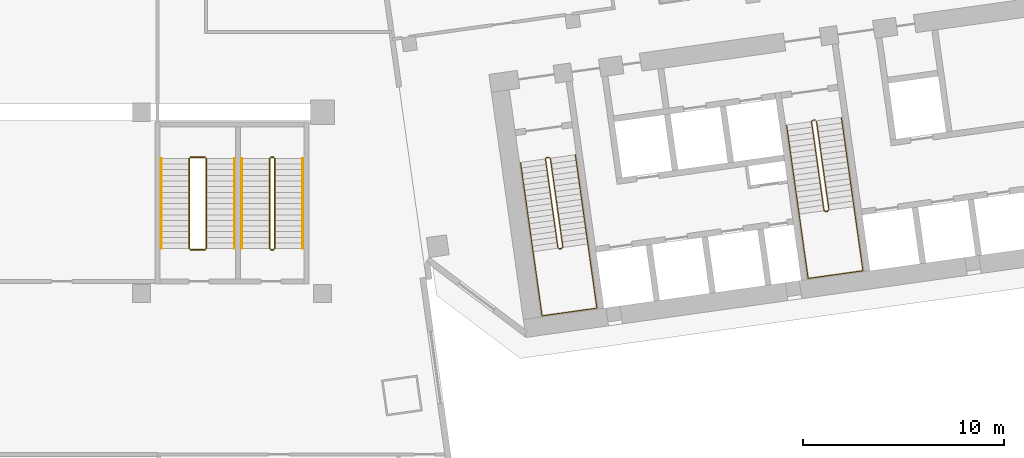
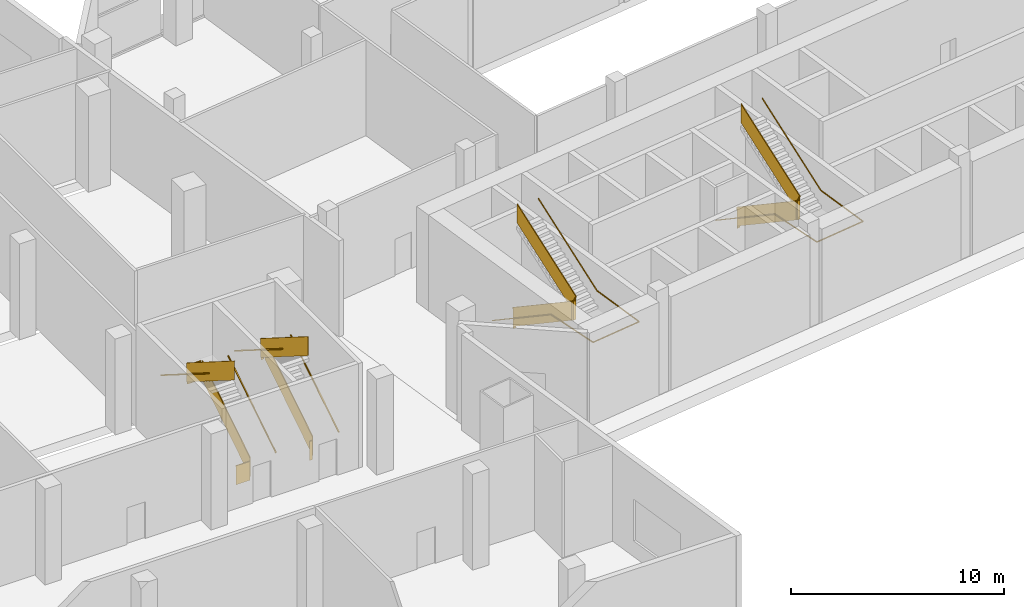
# One storey, part 23 of 24: 16 railings.
"""IFC4 building model written with IfcOpenShell, lengths in metres."""

import ifcopenshell
import ifcopenshell.guid

model = None  # the IFC model being written
_history = None  # IfcOwnerHistory: only IFC2X3 demands one
_inside = {}  # id of a spatial element -> (the spatial element, [elements in it])
_under = {}  # id of a project, library or spatial element -> (it, [spatial elements below it])
_declared = {}  # id of a project -> (the project, [libraries it declares])
_typed = {}  # id of a type object -> (the type object, [elements of that type])
_made_of = {}  # id of a material, layer set ... -> (it, [elements and type objects made of it])


def new_model(schema):
    """Start an empty IFC model of exactly this schema.

    Asked for "IFC4X3", IfcOpenShell would pick the latest addendum, in which some entities
    have other attributes; the version numbers below select the first issue.
    IFC2X3 requires an IfcOwnerHistory on every rooted entity: one is made here for all.
    """
    global model, _history
    if schema == "IFC4X3":
        model = ifcopenshell.file(schema_version=(4, 3, 0, 0))
    else:
        model = ifcopenshell.file(schema=schema)
    _inside.clear()
    _under.clear()
    _declared.clear()
    _typed.clear()
    _made_of.clear()
    _history = None
    if model.schema == "IFC2X3":
        org = make("IfcOrganization", Name="unknown")
        user = make(
            "IfcPersonAndOrganization",
            ThePerson=make("IfcPerson", FamilyName="unknown"),
            TheOrganization=org,
        )
        app = make(
            "IfcApplication",
            ApplicationDeveloper=org,
            Version="unknown",
            ApplicationFullName="unknown",
            ApplicationIdentifier="unknown",
        )
        _history = make(
            "IfcOwnerHistory",
            OwningUser=user,
            OwningApplication=app,
            ChangeAction="ADDED",
            CreationDate=0,
        )
    return model


def make(cls, **values):
    """One entity of the class cls with the attributes given. An attribute that is None is left unset."""
    return model.create_entity(
        cls, **{name: value for name, value in values.items() if value is not None}
    )


def rooted(cls, **values):
    """An entity with a GlobalId (a new one), such as an element, a storey or a relation."""
    return make(cls, GlobalId=ifcopenshell.guid.new(), OwnerHistory=_history, **values)


def si_unit(unit_type, name, prefix=None):
    """IfcSIUnit, for example si_unit("LENGTHUNIT", "METRE", prefix="MILLI")."""
    return make("IfcSIUnit", UnitType=unit_type, Prefix=prefix, Name=name)


def assignment(units):
    """IfcUnitAssignment: the units of a project."""
    return None if units is None else make("IfcUnitAssignment", Units=units)


def point(xyz):
    """IfcCartesianPoint."""
    return None if xyz is None else make("IfcCartesianPoint", Coordinates=xyz)


def direction(xyz):
    """IfcDirection."""
    return None if xyz is None else make("IfcDirection", DirectionRatios=xyz)


def frame(location, z_axis=None, x_axis=None):
    """IfcAxis2Placement3D, a coordinate frame: its origin and axes. An axis left out is left unset."""
    return make(
        "IfcAxis2Placement3D",
        Location=point(location),
        Axis=direction(z_axis),
        RefDirection=direction(x_axis),
    )


def frame_2d(location, x_axis=None):
    """IfcAxis2Placement2D, a coordinate frame in the plane: its origin and x axis."""
    return make(
        "IfcAxis2Placement2D", Location=point(location), RefDirection=direction(x_axis)
    )


def origin():
    """The frame at (0, 0, 0) with its axes left unset."""
    return frame((0.0, 0.0, 0.0))


def origin_2d():
    """The frame at (0, 0) in the plane with its x axis left unset."""
    return frame_2d((0.0, 0.0))


def place(relative_to, where):
    """IfcLocalPlacement: puts the frame where relative to a parent placement (None: the world)."""
    return make(
        "IfcLocalPlacement", PlacementRelTo=relative_to, RelativePlacement=where
    )


def context(
    kind, dimensions, precision=None, world=None, true_north=None, identifier=None
):
    """IfcGeometricRepresentationContext, for example the 3D "Model" context."""
    return make(
        "IfcGeometricRepresentationContext",
        ContextIdentifier=identifier,
        ContextType=kind,
        CoordinateSpaceDimension=dimensions,
        Precision=precision,
        WorldCoordinateSystem=world,
        TrueNorth=true_north,
    )


def subcontext(parent, identifier, kind, view, scale=None):
    """IfcGeometricRepresentationSubContext, for example "Body" below "Model"."""
    return make(
        "IfcGeometricRepresentationSubContext",
        ContextIdentifier=identifier,
        ContextType=kind,
        ParentContext=parent,
        TargetScale=scale,
        TargetView=view,
    )


def project(units=None, contexts=None):
    """IfcProject with its units and contexts."""
    return rooted(
        "IfcProject",
        Name="project",
        RepresentationContexts=contexts,
        UnitsInContext=assignment(units),
    )


def spatial(cls, under=None, at=None, **own):
    """A site, building, storey or space (cls), placed at a placement, below another one or the project."""
    s = rooted(cls, ObjectPlacement=at, **own)
    if under is not None:
        _under.setdefault(under.id(), (under, []))[1].append(s)
    return s


def profile(cls, at=None, kind="AREA", **sizes):
    """A parametric profile (cls). Its sizes go by their IFC names, for example OverallWidth=200.0."""
    return make(cls, ProfileType=kind, Position=at, **sizes)


def rectangle(**sizes):
    """IfcRectangleProfileDef."""
    return profile("IfcRectangleProfileDef", **sizes)


def extrude(swept, where, along, depth):
    """IfcExtrudedAreaSolid: the profile swept, set in the frame where, extruded along a direction by depth."""
    return make(
        "IfcExtrudedAreaSolid",
        SweptArea=swept,
        Position=where,
        ExtrudedDirection=direction(along),
        Depth=depth,
    )


def shape(context_of_items, identifier, shape_type, items):
    """IfcShapeRepresentation: the items that make up one representation, for example the "Body"."""
    return make(
        "IfcShapeRepresentation",
        ContextOfItems=context_of_items,
        RepresentationIdentifier=identifier,
        RepresentationType=shape_type,
        Items=items,
    )


def material(Name=None, Category=None):
    """IfcMaterial."""
    return make("IfcMaterial", Name=Name, Category=Category)


def made_of(thing, what):
    """Note that an element or type object is made of a material, layer set ...; save() writes the relation."""
    if what is not None:
        _made_of.setdefault(what.id(), (what, []))[1].append(thing)
    return thing


def type_object(cls, material=None, **own):
    """A type object (cls), such as IfcWallType, which elements share."""
    return made_of(rooted(cls, **own), material)


def element(
    cls,
    number,
    at=None,
    inside=None,
    cuts=None,
    type_object=None,
    material=None,
    context=None,
    identifier="Body",
    shape_type=None,
    held_by="IfcProductDefinitionShape",
    body=None,
    shapes=None,
    **own,
):
    """One element of the class cls, such as IfcWall. Its Tag is "e" and its number.

    at: its placement. inside: the storey or other place that contains it. cuts: it is an
    opening in that element (IfcRelVoidsElement). A single representation is given by context,
    identifier, shape_type and body (its items); several are given by shapes. held_by: the class
    of the entity that holds the representations. save() writes the other relations.
    """
    e = rooted(cls, Tag="e%d" % number, ObjectPlacement=at, **own)
    if body is not None:
        shapes = [shape(context, identifier, shape_type, body)]
    if shapes is not None:
        e.Representation = make(held_by, Representations=shapes)
    if inside is not None:
        _inside.setdefault(inside.id(), (inside, []))[1].append(e)
    if cuts is not None:
        rooted(
            "IfcRelVoidsElement", RelatingBuildingElement=cuts, RelatedOpeningElement=e
        )
    if type_object is not None:
        _typed.setdefault(type_object.id(), (type_object, []))[1].append(e)
    return made_of(e, material)


def aggregate(whole, parts):
    """IfcRelAggregates: a whole, such as a stair, and the parts it consists of."""
    return rooted("IfcRelAggregates", RelatingObject=whole, RelatedObjects=parts)


def save(model, path):
    """Write the relations noted so far, then the file.

    IfcRelAggregates (storeys below a building ...), IfcRelContainedInSpatialStructure (elements
    in a storey), IfcRelDefinesByType, IfcRelAssociatesMaterial and IfcRelDeclares: one each for
    every whole, place, type object, material and project.
    """
    for whole, parts in _under.values():
        aggregate(whole, parts)
    for where, things in _inside.values():
        rooted(
            "IfcRelContainedInSpatialStructure",
            RelatedElements=things,
            RelatingStructure=where,
        )
    for kind, things in _typed.values():
        rooted("IfcRelDefinesByType", RelatedObjects=things, RelatingType=kind)
    for what, things in _made_of.values():
        rooted("IfcRelAssociatesMaterial", RelatedObjects=things, RelatingMaterial=what)
    for by, libraries in _declared.values():
        rooted("IfcRelDeclares", RelatingContext=by, RelatedDefinitions=libraries)
    model.write(path)


model = new_model("IFC4")

# Units and contexts
model_context = context("Model", 3, precision=1e-05, world=origin(), true_north=direction((0.0, 1.0)))
body_context = subcontext(model_context, "Body", "Model", "MODEL_VIEW")
ifc_project = project(units=[si_unit("LENGTHUNIT", "METRE"), si_unit("AREAUNIT", "SQUARE_METRE"), si_unit("VOLUMEUNIT", "CUBIC_METRE"), si_unit("PLANEANGLEUNIT", "RADIAN"), si_unit("MASSUNIT", "GRAM", prefix="KILO")], contexts=[model_context])

# Site, building, storey
site_placement = place(None, origin())
site = spatial("IfcSite", under=ifc_project, at=site_placement, CompositionType="ELEMENT")
building_placement = place(site_placement, origin())
building = spatial("IfcBuilding", under=site, at=building_placement, Name="Mirante Cascada Hotel Towers", CompositionType="ELEMENT")
storey_placement = place(building_placement, frame((0.0, 0.0, 17.5)))
storey = spatial("IfcBuildingStorey", under=building, at=storey_placement, Name="L02", CompositionType="ELEMENT", Elevation=17.5)

# Railings
ifc_material_1 = material(Name="Painted steel", Category="steel")
railing_type_1 = type_object("IfcRailingType", Name="Podium stair guard 1100 steel balustrade", PredefinedType="GUARDRAIL", material=ifc_material_1)
railing_1_placement = place(storey_placement, frame((24.625, -15.775, 0.1765)))
element("IfcRailing", 1, at=railing_1_placement, inside=storey, type_object=railing_type_1, Name="L02 PS2 stair guard 1", PredefinedType="GUARDRAIL", context=body_context, shape_type="SweptSolid", body=[
    extrude(rectangle(XDim=0.048, YDim=0.048, at=origin_2d()), frame((0.0, 0.0, 1.076), z_axis=(0.0, 1.0, 0.0), x_axis=(-1.0, 0.0, 0.0)), (0.0, 0.5331864, 0.8459978), 5.2955),
    extrude(rectangle(XDim=0.02, YDim=1.052, at=origin_2d()), frame((0.0, 0.0, 0.526), z_axis=(0.0, 1.0, 0.0), x_axis=(-1.0, 0.0, 0.0)), (0.0, 0.5331864, 0.8459978), 5.2955),
])
railing_2_placement = place(storey_placement, frame((24.575, -11.245, 3.0)))
element("IfcRailing", 2, at=railing_2_placement, inside=storey, type_object=railing_type_1, Name="L02 PS2 stair guard 2", PredefinedType="GUARDRAIL", context=body_context, shape_type="SweptSolid", body=[
    extrude(rectangle(XDim=0.048, YDim=0.048, at=origin_2d()), frame((0.0, 0.0, 1.076), z_axis=(-1.0, 0.0, 0.0), x_axis=(0.0, -1.0, 0.0)), (0.0, 0.0, 1.0), 0.15),
    extrude(rectangle(XDim=0.02, YDim=1.052, at=origin_2d()), frame((0.0, 0.0, 0.526), z_axis=(-1.0, 0.0, 0.0), x_axis=(0.0, -1.0, 0.0)), (0.0, 0.0, 1.0), 0.15),
])
railing_3_placement = place(storey_placement, frame((24.375, -11.295, 3.1765)))
element("IfcRailing", 3, at=railing_3_placement, inside=storey, type_object=railing_type_1, Name="L02 PS2 stair guard 3", PredefinedType="GUARDRAIL", context=body_context, shape_type="SweptSolid", body=[
    extrude(rectangle(XDim=0.048, YDim=0.048, at=origin_2d()), frame((0.0, 0.0, 1.076), z_axis=(0.0, -1.0, 0.0), x_axis=(1.0, 0.0, 0.0)), (0.0, 0.5331864, 0.8459978), 5.2955),
    extrude(rectangle(XDim=0.02, YDim=1.052, at=origin_2d()), frame((0.0, 0.0, 0.526), z_axis=(0.0, -1.0, 0.0), x_axis=(1.0, 0.0, 0.0)), (0.0, 0.5331864, 0.8459978), 5.2955),
])
railing_4_placement = place(storey_placement, frame((24.575, -15.825, 0.0)))
element("IfcRailing", 4, at=railing_4_placement, inside=storey, type_object=railing_type_1, Name="L02 PS2 stair guard 4", PredefinedType="GUARDRAIL", context=body_context, shape_type="SweptSolid", body=[
    extrude(rectangle(XDim=0.048, YDim=0.048, at=origin_2d()), frame((0.0, 0.0, 1.076), z_axis=(-1.0, 0.0, 0.0), x_axis=(0.0, -1.0, 0.0)), (0.0, 0.0, 1.0), 0.15),
    extrude(rectangle(XDim=0.02, YDim=1.052, at=origin_2d()), frame((0.0, 0.0, 0.526), z_axis=(-1.0, 0.0, 0.0), x_axis=(0.0, -1.0, 0.0)), (0.0, 0.0, 1.0), 0.15),
])
railing_5_placement = place(storey_placement, frame((21.225, -15.775, 0.1765)))
element("IfcRailing", 5, at=railing_5_placement, inside=storey, type_object=railing_type_1, Name="L02 PS4 stair guard 1", PredefinedType="GUARDRAIL", context=body_context, shape_type="SweptSolid", body=[
    extrude(rectangle(XDim=0.048, YDim=0.048, at=origin_2d()), frame((0.0, 0.0, 1.076), z_axis=(0.0, 1.0, 0.0), x_axis=(-1.0, 0.0, 0.0)), (0.0, 0.5331864, 0.8459978), 5.2955),
    extrude(rectangle(XDim=0.02, YDim=1.052, at=origin_2d()), frame((0.0, 0.0, 0.526), z_axis=(0.0, 1.0, 0.0), x_axis=(-1.0, 0.0, 0.0)), (0.0, 0.5331864, 0.8459978), 5.2955),
])
railing_6_placement = place(storey_placement, frame((21.175, -11.245, 3.0)))
element("IfcRailing", 6, at=railing_6_placement, inside=storey, type_object=railing_type_1, Name="L02 PS4 stair guard 2", PredefinedType="GUARDRAIL", context=body_context, shape_type="SweptSolid", body=[
    extrude(rectangle(XDim=0.048, YDim=0.048, at=origin_2d()), frame((0.0, 0.0, 1.076), z_axis=(-1.0, 0.0, 0.0), x_axis=(0.0, -1.0, 0.0)), (0.0, 0.0, 1.0), 0.75),
    extrude(rectangle(XDim=0.02, YDim=1.052, at=origin_2d()), frame((0.0, 0.0, 0.526), z_axis=(-1.0, 0.0, 0.0), x_axis=(0.0, -1.0, 0.0)), (0.0, 0.0, 1.0), 0.75),
])
railing_7_placement = place(storey_placement, frame((20.375, -11.295, 3.1765)))
element("IfcRailing", 7, at=railing_7_placement, inside=storey, type_object=railing_type_1, Name="L02 PS4 stair guard 3", PredefinedType="GUARDRAIL", context=body_context, shape_type="SweptSolid", body=[
    extrude(rectangle(XDim=0.048, YDim=0.048, at=origin_2d()), frame((0.0, 0.0, 1.076), z_axis=(0.0, -1.0, 0.0), x_axis=(1.0, 0.0, 0.0)), (0.0, 0.5331864, 0.8459978), 5.2955),
    extrude(rectangle(XDim=0.02, YDim=1.052, at=origin_2d()), frame((0.0, 0.0, 0.526), z_axis=(0.0, -1.0, 0.0), x_axis=(1.0, 0.0, 0.0)), (0.0, 0.5331864, 0.8459978), 5.2955),
])
railing_8_placement = place(storey_placement, frame((21.175, -15.825, 0.0)))
element("IfcRailing", 8, at=railing_8_placement, inside=storey, type_object=railing_type_1, Name="L02 PS4 stair guard 4", PredefinedType="GUARDRAIL", context=body_context, shape_type="SweptSolid", body=[
    extrude(rectangle(XDim=0.048, YDim=0.048, at=origin_2d()), frame((0.0, 0.0, 1.076), z_axis=(-1.0, 0.0, 0.0), x_axis=(0.0, -1.0, 0.0)), (0.0, 0.0, 1.0), 0.75),
    extrude(rectangle(XDim=0.02, YDim=1.052, at=origin_2d()), frame((0.0, 0.0, 0.526), z_axis=(-1.0, 0.0, 0.0), x_axis=(0.0, -1.0, 0.0)), (0.0, 0.0, 1.0), 0.75),
])
ifc_material_2 = material(Name="Painted steel", Category="steel")
railing_type_2 = type_object("IfcRailingType", Name="Podium stair handrail 900 steel tube", PredefinedType="HANDRAIL", material=ifc_material_2)
railing_9_placement = place(storey_placement, frame((26.025, -15.775, 0.1765)))
element("IfcRailing", 9, at=railing_9_placement, inside=storey, type_object=railing_type_2, Name="L02 PS2 stair handrail 1", PredefinedType="HANDRAIL", context=body_context, shape_type="SweptSolid", body=[
    extrude(rectangle(XDim=0.048, YDim=0.048, at=origin_2d()), frame((0.0, 0.0, 0.876), z_axis=(0.0, 1.0, 0.0), x_axis=(-1.0, 0.0, 0.0)), (0.0, 0.5331864, 0.8459978), 5.2955),
])
railing_10_placement = place(storey_placement, frame((22.975, -11.295, 3.1765)))
element("IfcRailing", 10, at=railing_10_placement, inside=storey, type_object=railing_type_2, Name="L02 PS2 stair handrail 2", PredefinedType="HANDRAIL", context=body_context, shape_type="SweptSolid", body=[
    extrude(rectangle(XDim=0.048, YDim=0.048, at=origin_2d()), frame((0.0, 0.0, 0.876), z_axis=(0.0, -1.0, 0.0), x_axis=(1.0, 0.0, 0.0)), (0.0, 0.5331864, 0.8459978), 5.2955),
])
railing_11_placement = place(storey_placement, frame((22.625, -15.775, 0.1765)))
element("IfcRailing", 11, at=railing_11_placement, inside=storey, type_object=railing_type_2, Name="L02 PS4 stair handrail 1", PredefinedType="HANDRAIL", context=body_context, shape_type="SweptSolid", body=[
    extrude(rectangle(XDim=0.048, YDim=0.048, at=origin_2d()), frame((0.0, 0.0, 0.876), z_axis=(0.0, 1.0, 0.0), x_axis=(-1.0, 0.0, 0.0)), (0.0, 0.5331864, 0.8459978), 5.2955),
])
railing_12_placement = place(storey_placement, frame((18.975, -11.295, 3.1765)))
element("IfcRailing", 12, at=railing_12_placement, inside=storey, type_object=railing_type_2, Name="L02 PS4 stair handrail 2", PredefinedType="HANDRAIL", context=body_context, shape_type="SweptSolid", body=[
    extrude(rectangle(XDim=0.048, YDim=0.048, at=origin_2d()), frame((0.0, 0.0, 0.876), z_axis=(0.0, -1.0, 0.0), x_axis=(1.0, 0.0, 0.0)), (0.0, 0.5331864, 0.8459978), 5.2955),
])
ifc_material_3 = material(Name="Painted steel", Category="steel")
railing_type_3 = type_object("IfcRailingType", Name="Stair guard 1100 steel balustrade", PredefinedType="GUARDRAIL", material=ifc_material_3)
railing_13_placement = place(storey_placement, frame((38.2663, -11.2395, 0.0)))
element("IfcRailing", 13, at=railing_13_placement, inside=storey, type_object=railing_type_3, Name="L02 ST2-A stair guard 1", PredefinedType="GUARDRAIL", context=body_context, shape_type="SweptSolid", body=[
    extrude(rectangle(XDim=0.048, YDim=0.048, at=origin_2d()), frame((0.0, 0.0, 1.076), z_axis=(-0.9903326, -0.1387133, 0.0), x_axis=(0.1387133, -0.9903326, 0.0)), (0.0, 0.0, 1.0), 0.1499),
    extrude(rectangle(XDim=0.02, YDim=1.052, at=origin_2d()), frame((0.0, 0.0, 0.526), z_axis=(-0.9903326, -0.1387133, 0.0), x_axis=(0.1387133, -0.9903326, 0.0)), (0.0, 0.0, 1.0), 0.1499),
    extrude(rectangle(XDim=0.048, YDim=0.048, at=origin_2d()), frame((-0.1485, -0.0208, 1.076), z_axis=(-0.6020331, -0.7984711, 0.0), x_axis=(0.7984711, -0.6020331, 0.0)), (0.0, 0.9281858, 0.372117), 0.1902),
    extrude(rectangle(XDim=0.02, YDim=1.052, at=origin_2d()), frame((-0.1485, -0.0208, 0.526), z_axis=(-0.6020331, -0.7984711, 0.0), x_axis=(0.7984711, -0.6020331, 0.0)), (0.0, 0.9281858, 0.372117), 0.1902),
    extrude(rectangle(XDim=0.048, YDim=0.048, at=origin_2d()), frame((-0.1911, -0.0773, 1.2525), z_axis=(0.1391741, -0.9902679, 0.0), x_axis=(0.9902679, 0.1391741, 0.0)), (0.0, 0.5331864, 0.8459978), 5.2955),
    extrude(rectangle(XDim=0.02, YDim=1.052, at=origin_2d()), frame((-0.1911, -0.0773, 0.7025), z_axis=(0.1391741, -0.9902679, 0.0), x_axis=(0.9902679, 0.1391741, 0.0)), (0.0, 0.5331864, 0.8459978), 5.2955),
    extrude(rectangle(XDim=0.048, YDim=0.048, at=origin_2d()), frame((0.4324, -4.5137, 4.076), z_axis=(0.9944441, -0.1052656, 0.0), x_axis=(0.1052656, 0.9944441, 0.0)), (0.0, 0.0, 1.0), 0.2061),
    extrude(rectangle(XDim=0.02, YDim=1.052, at=origin_2d()), frame((0.4324, -4.5137, 3.526), z_axis=(0.9944441, -0.1052656, 0.0), x_axis=(0.1052656, 0.9944441, 0.0)), (0.0, 0.0, 1.0), 0.2061),
    extrude(rectangle(XDim=0.048, YDim=0.048, at=origin_2d()), frame((0.6374, -4.5354, 4.076), z_axis=(-0.9902408, -0.1393672, 0.0), x_axis=(0.1393672, -0.9902408, 0.0)), (0.0, 0.0, 1.0), 0.15),
    extrude(rectangle(XDim=0.02, YDim=1.052, at=origin_2d()), frame((0.6374, -4.5354, 3.526), z_axis=(-0.9902408, -0.1393672, 0.0), x_axis=(0.1393672, -0.9902408, 0.0)), (0.0, 0.0, 1.0), 0.15),
    extrude(rectangle(XDim=0.048, YDim=0.048, at=origin_2d()), frame((0.4889, -4.5563, 4.076), z_axis=(0.9268624, 0.3754011, 0.0), x_axis=(-0.3754011, 0.9268624, 0.0)), (0.0, 0.6503128, 0.7596665), 0.2714),
    extrude(rectangle(XDim=0.02, YDim=1.052, at=origin_2d()), frame((0.4889, -4.5563, 3.526), z_axis=(0.9268624, 0.3754011, 0.0), x_axis=(-0.3754011, 0.9268624, 0.0)), (0.0, 0.6503128, 0.7596665), 0.2714),
    extrude(rectangle(XDim=0.048, YDim=0.048, at=origin_2d()), frame((0.68, -4.4789, 4.2525), z_axis=(-0.1391741, 0.9902679, 0.0), x_axis=(-0.9902679, -0.1391741, 0.0)), (0.0, 0.5331864, 0.8459978), 5.2955),
    extrude(rectangle(XDim=0.02, YDim=1.052, at=origin_2d()), frame((0.68, -4.4789, 3.7025), z_axis=(-0.1391741, 0.9902679, 0.0), x_axis=(-0.9902679, -0.1391741, 0.0)), (0.0, 0.5331864, 0.8459978), 5.2955),
])
railing_14_placement = place(storey_placement, frame((51.4864, -9.3815, 0.0)))
element("IfcRailing", 14, at=railing_14_placement, inside=storey, type_object=railing_type_3, Name="L02 ST2-B stair guard 1", PredefinedType="GUARDRAIL", context=body_context, shape_type="SweptSolid", body=[
    extrude(rectangle(XDim=0.048, YDim=0.048, at=origin_2d()), frame((0.0, 0.0, 1.076), z_axis=(-0.9902408, -0.1393672, 0.0), x_axis=(0.1393672, -0.9902408, 0.0)), (0.0, 0.0, 1.0), 0.15),
    extrude(rectangle(XDim=0.02, YDim=1.052, at=origin_2d()), frame((0.0, 0.0, 0.526), z_axis=(-0.9902408, -0.1393672, 0.0), x_axis=(0.1393672, -0.9902408, 0.0)), (0.0, 0.0, 1.0), 0.15),
    extrude(rectangle(XDim=0.048, YDim=0.048, at=origin_2d()), frame((-0.1485, -0.0209, 1.076), z_axis=(-0.6020331, -0.7984711, 0.0), x_axis=(0.7984711, -0.6020331, 0.0)), (0.0, 0.9281858, 0.372117), 0.1902),
    extrude(rectangle(XDim=0.02, YDim=1.052, at=origin_2d()), frame((-0.1485, -0.0209, 0.526), z_axis=(-0.6020331, -0.7984711, 0.0), x_axis=(0.7984711, -0.6020331, 0.0)), (0.0, 0.9281858, 0.372117), 0.1902),
    extrude(rectangle(XDim=0.048, YDim=0.048, at=origin_2d()), frame((-0.1911, -0.0774, 1.2525), z_axis=(0.1391741, -0.9902679, 0.0), x_axis=(0.9902679, 0.1391741, 0.0)), (0.0, 0.5331864, 0.8459978), 5.2955),
    extrude(rectangle(XDim=0.02, YDim=1.052, at=origin_2d()), frame((-0.1911, -0.0774, 0.7025), z_axis=(0.1391741, -0.9902679, 0.0), x_axis=(0.9902679, 0.1391741, 0.0)), (0.0, 0.5331864, 0.8459978), 5.2955),
    extrude(rectangle(XDim=0.048, YDim=0.048, at=origin_2d()), frame((0.4324, -4.5138, 4.076), z_axis=(0.9944948, -0.1047858, 0.0), x_axis=(0.1047858, 0.9944948, 0.0)), (0.0, 0.0, 1.0), 0.2061),
    extrude(rectangle(XDim=0.02, YDim=1.052, at=origin_2d()), frame((0.4324, -4.5138, 3.526), z_axis=(0.9944948, -0.1047858, 0.0), x_axis=(0.1047858, 0.9944948, 0.0)), (0.0, 0.0, 1.0), 0.2061),
    extrude(rectangle(XDim=0.048, YDim=0.048, at=origin_2d()), frame((0.6374, -4.5354, 4.076), z_axis=(-0.9902408, -0.1393672, 0.0), x_axis=(0.1393672, -0.9902408, 0.0)), (0.0, 0.0, 1.0), 0.15),
    extrude(rectangle(XDim=0.02, YDim=1.052, at=origin_2d()), frame((0.6374, -4.5354, 3.526), z_axis=(-0.9902408, -0.1393672, 0.0), x_axis=(0.1393672, -0.9902408, 0.0)), (0.0, 0.0, 1.0), 0.15),
    extrude(rectangle(XDim=0.048, YDim=0.048, at=origin_2d()), frame((0.4889, -4.5563, 4.076), z_axis=(0.9270311, 0.3749843, 0.0), x_axis=(-0.3749843, 0.9270311, 0.0)), (0.0, 0.6503811, 0.7596081), 0.2714),
    extrude(rectangle(XDim=0.02, YDim=1.052, at=origin_2d()), frame((0.4889, -4.5563, 3.526), z_axis=(0.9270311, 0.3749843, 0.0), x_axis=(-0.3749843, 0.9270311, 0.0)), (0.0, 0.6503811, 0.7596081), 0.2714),
    extrude(rectangle(XDim=0.048, YDim=0.048, at=origin_2d()), frame((0.68, -4.479, 4.2525), z_axis=(-0.1391741, 0.9902679, 0.0), x_axis=(-0.9902679, -0.1391741, 0.0)), (0.0, 0.5331864, 0.8459978), 5.2955),
    extrude(rectangle(XDim=0.02, YDim=1.052, at=origin_2d()), frame((0.68, -4.479, 3.7025), z_axis=(-0.1391741, 0.9902679, 0.0), x_axis=(-0.9902679, -0.1391741, 0.0)), (0.0, 0.5331864, 0.8459978), 5.2955),
])
ifc_material_4 = material(Name="Painted steel", Category="steel")
railing_type_4 = type_object("IfcRailingType", Name="Stair handrail 900 steel tube", PredefinedType="HANDRAIL", material=ifc_material_4)
railing_15_placement = place(storey_placement, frame((36.8374, -11.4908, 0.1765)))
element("IfcRailing", 15, at=railing_15_placement, inside=storey, type_object=railing_type_4, Name="L02 ST2-A stair handrail 1", PredefinedType="HANDRAIL", context=body_context, shape_type="SweptSolid", body=[
    extrude(rectangle(XDim=0.048, YDim=0.048, at=origin_2d()), frame((0.0, 0.0, 0.876), z_axis=(0.1391741, -0.9902679, 0.0), x_axis=(0.9902679, 0.1391741, 0.0)), (0.0, 0.5331864, 0.8459978), 5.2955),
    extrude(rectangle(XDim=0.048, YDim=0.048, at=origin_2d()), frame((0.6234, -4.4354, 3.6994), z_axis=(0.1391644, -0.9902693, 0.0), x_axis=(0.9902693, 0.1391644, 0.0)), (0.0, 0.0547327, 0.998501), 3.2258),
    extrude(rectangle(XDim=0.048, YDim=0.048, at=origin_2d()), frame((1.0716, -7.625, 3.876), z_axis=(0.9902698, 0.1391607, 0.0), x_axis=(-0.1391607, 0.9902698, 0.0)), (0.0, 0.0, 1.0), 2.7501),
    extrude(rectangle(XDim=0.048, YDim=0.048, at=origin_2d()), frame((3.7949, -7.2423, 3.876), z_axis=(-0.1391949, 0.990265, 0.0), x_axis=(-0.990265, -0.1391949, 0.0)), (0.0, 0.0, 1.0), 3.2199),
    extrude(rectangle(XDim=0.048, YDim=0.048, at=origin_2d()), frame((3.3468, -4.0545, 3.8755), z_axis=(-0.1391741, 0.9902679, 0.0), x_axis=(-0.9902679, -0.1391741, 0.0)), (0.0, 0.5331864, 0.8459978), 5.2965),
])
railing_16_placement = place(storey_placement, frame((50.0575, -9.6328, 0.1765)))
element("IfcRailing", 16, at=railing_16_placement, inside=storey, type_object=railing_type_4, Name="L02 ST2-B stair handrail 1", PredefinedType="HANDRAIL", context=body_context, shape_type="SweptSolid", body=[
    extrude(rectangle(XDim=0.048, YDim=0.048, at=origin_2d()), frame((0.0, 0.0, 0.876), z_axis=(0.1391741, -0.9902679, 0.0), x_axis=(0.9902679, 0.1391741, 0.0)), (0.0, 0.5331864, 0.8459978), 5.2955),
    extrude(rectangle(XDim=0.048, YDim=0.048, at=origin_2d()), frame((0.6234, -4.4354, 3.6994), z_axis=(0.1391601, -0.9902699, 0.0), x_axis=(0.9902699, 0.1391601, 0.0)), (0.0, 0.054731, 0.9985011), 3.2259),
    extrude(rectangle(XDim=0.048, YDim=0.048, at=origin_2d()), frame((1.0716, -7.6251, 3.876), z_axis=(0.9902698, 0.1391607, 0.0), x_axis=(-0.1391607, 0.9902698, 0.0)), (0.0, 0.0, 1.0), 2.7501),
    extrude(rectangle(XDim=0.048, YDim=0.048, at=origin_2d()), frame((3.7949, -7.2424, 3.876), z_axis=(-0.1391906, 0.9902656, 0.0), x_axis=(-0.9902656, -0.1391906, 0.0)), (0.0, 0.0, 1.0), 3.22),
    extrude(rectangle(XDim=0.048, YDim=0.048, at=origin_2d()), frame((3.3468, -4.0545, 3.8755), z_axis=(-0.1391741, 0.9902679, 0.0), x_axis=(-0.9902679, -0.1391741, 0.0)), (0.0, 0.5331864, 0.8459978), 5.2965),
])

save(model, "model.ifc")
